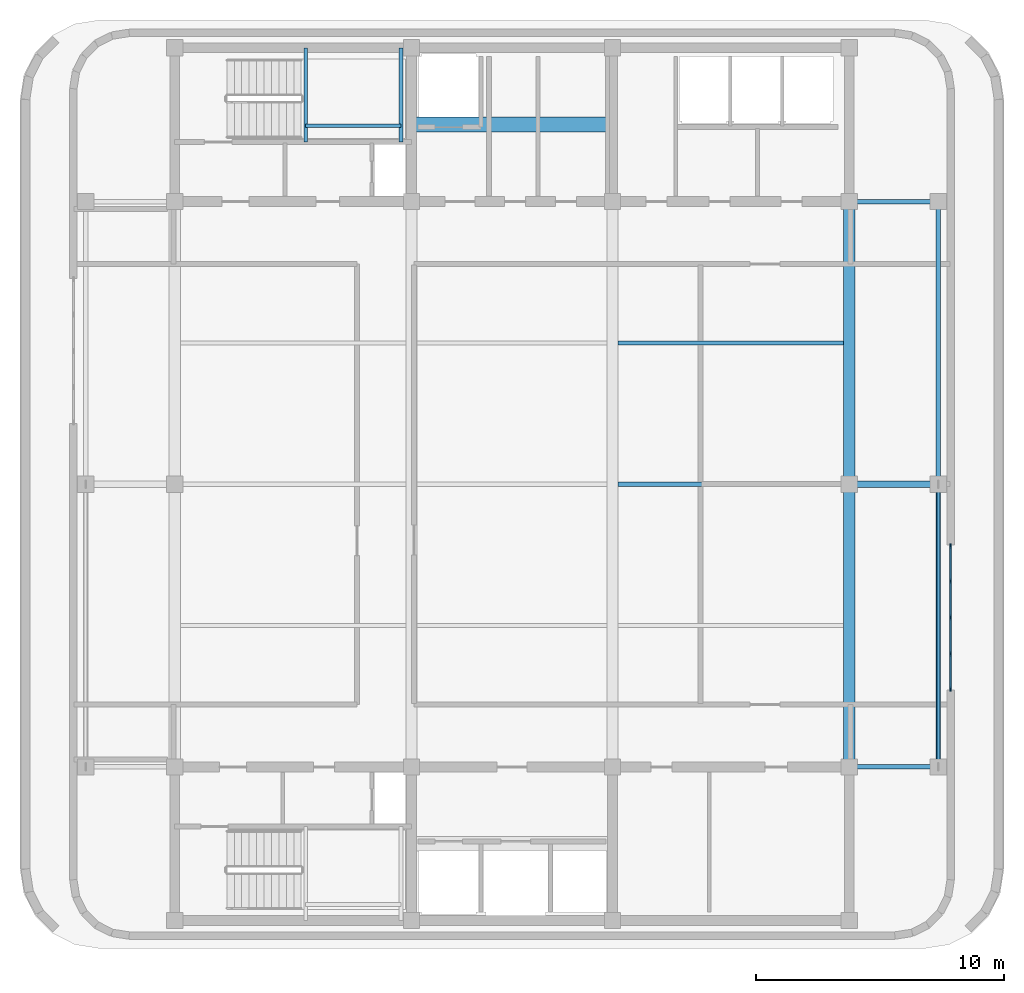
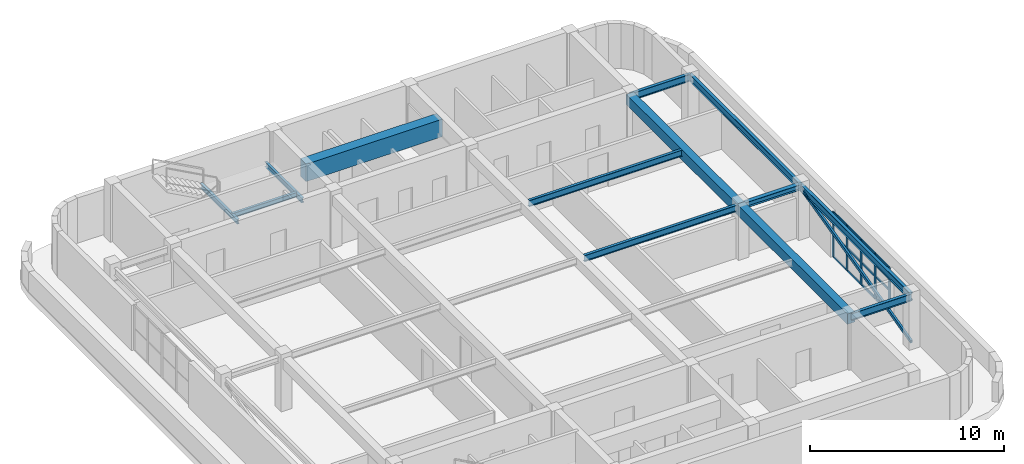
# One storey, part 3 of 9: 18 members, 13 beams, 1 element without a shape of its own.
"""IFC4 building model written with IfcOpenShell, lengths in metres."""

from ifc_helpers import new_model, si_unit, direction, frame, origin, origin_2d, place, context, subcontext, project, spatial, rectangle, hollow_rectangle, i_section, extrude, material, material_profile, profile_set, type_object, element, aggregate, save


model = new_model("IFC4")

# Units and contexts
model_context = context("Model", 3, precision=1e-05, world=origin(), true_north=direction((0.0, 1.0)))
body_context = subcontext(model_context, "Body", "Model", "MODEL_VIEW")
ifc_project = project(units=[si_unit("LENGTHUNIT", "METRE"), si_unit("AREAUNIT", "SQUARE_METRE"), si_unit("VOLUMEUNIT", "CUBIC_METRE"), si_unit("PLANEANGLEUNIT", "RADIAN"), si_unit("MASSUNIT", "GRAM", prefix="KILO")], contexts=[model_context])

# Site, building, storey
site_placement = place(None, origin())
site = spatial("IfcSite", under=ifc_project, at=site_placement, CompositionType="ELEMENT")
building_placement = place(site_placement, origin())
building = spatial("IfcBuilding", under=site, at=building_placement, Name="Svetorya Sky Lyceum", CompositionType="ELEMENT")
storey_placement = place(building_placement, frame((0.0, 0.0, 302.0)))
storey = spatial("IfcBuildingStorey", under=building, at=storey_placement, Name="C01", CompositionType="ELEMENT", Elevation=302.0)

# Beams
ifc_material_1 = material(Name="Concrete C60/75", Category="concrete")
ifc_material_profile_1 = material_profile(ifc_material_1, rectangle(XDim=0.60009765625, YDim=1.10009765625, at=origin_2d()), Name="RC COUPLING 600x1100")
ifc_profile_set_1 = profile_set([ifc_material_profile_1], Name="Concrete C60/75")
beam_type_1 = type_object("IfcBeamType", Name="BM-CPL-1100", PredefinedType="LINTEL", material=ifc_profile_set_1)
beam_1_placement = place(storey_placement, frame((35.14990234375, 42.699951171875, 2.77001953125), z_axis=(1.0, 0.0, 0.0), x_axis=(0.0, 1.0, 0.0)))
element("IfcBeam", 1, at=beam_1_placement, inside=storey, type_object=beam_type_1, Name="C01 NC Core Coupling Beam", PredefinedType="LINTEL", context=body_context, shape_type="SweptSolid", body=[
    extrude(rectangle(XDim=0.60009765625, YDim=1.10009765625, at=origin_2d()), origin(), (0.0, 0.0, 1.0), 8.10009765625),
])
ifc_material_2 = material(Name="Concrete C40/50", Category="concrete")
ifc_material_profile_2 = material_profile(ifc_material_2, rectangle(XDim=0.449951171875, YDim=0.64990234375, at=origin_2d()), Name="RC BEAM 450x650")
ifc_profile_set_2 = profile_set([ifc_material_profile_2], Name="Concrete C40/50")
beam_type_2 = type_object("IfcBeamType", Name="BM-RC-650", PredefinedType="BEAM", material=ifc_profile_set_2)
beam_2_placement = place(storey_placement, frame((52.800048828125, 16.800048828125, 2.9951171875), z_axis=(0.0, 1.0, 0.0), x_axis=(-1.0, 0.0, 0.0)))
element("IfcBeam", 2, at=beam_2_placement, inside=storey, type_object=beam_type_2, Name="C01 Central Bay Primary Girder CG-4A", PredefinedType="BEAM", context=body_context, shape_type="SweptSolid", body=[
    extrude(rectangle(XDim=0.449951171875, YDim=0.64990234375, at=origin_2d()), origin(), (0.0, 0.0, 1.0), 11.39990234375),
])
beam_3_placement = place(storey_placement, frame((52.800048828125, 28.199951171875, 2.9951171875), z_axis=(0.0, 1.0, 0.0), x_axis=(-1.0, 0.0, 0.0)))
element("IfcBeam", 3, at=beam_3_placement, inside=storey, type_object=beam_type_2, Name="C01 Central Bay Primary Girder CG-4B", PredefinedType="BEAM", context=body_context, shape_type="SweptSolid", body=[
    extrude(rectangle(XDim=0.449951171875, YDim=0.64990234375, at=origin_2d()), origin(), (0.0, 0.0, 1.0), 11.400146484375),
])
ifc_material_3 = material(Name="Steel S355", Category="steel")
ifc_material_profile_3 = material_profile(ifc_material_3, i_section(OverallWidth=0.14990234375, OverallDepth=0.299072265625, WebThickness=0.006591796875, FlangeThickness=0.010498046875, at=origin_2d()), Name="GOST 30B2")
ifc_profile_set_3 = profile_set([ifc_material_profile_3], Name="Steel S355")
beam_type_3 = type_object("IfcBeamType", Name="BM-STL-30B2", PredefinedType="JOIST", material=ifc_profile_set_3)
for number, where, z_axis, x_axis, name in (
    (4, (30.8798828125, 42.0, 1.450439453125), (0.0, 1.0, 0.0), (-1.0, 0.0, 0.0), "C01 Stair ST-N Half-Landing Support Beam 84.1"),
    (5, (34.719970703125, 42.0, 1.450439453125), (0.0, 1.0, 0.0), (-1.0, 0.0, 0.0), "C01 Stair ST-N Half-Landing Support Beam 84.2"),
):
    element("IfcBeam", number, at=place(storey_placement, frame(where, z_axis=z_axis, x_axis=x_axis)), inside=storey, type_object=beam_type_3, Name=name, PredefinedType="JOIST", context=body_context, shape_type="SweptSolid", body=[
        extrude(i_section(OverallWidth=0.14990234375, OverallDepth=0.299072265625, WebThickness=0.006591796875, FlangeThickness=0.010498046875, at=origin_2d()), origin(), (0.0, 0.0, 1.0), 3.800048828125),
    ])
beam_4_placement = place(storey_placement, frame((30.8798828125, 42.64990234375, 1.450439453125), z_axis=(1.0, 0.0, 0.0), x_axis=(0.0, 1.0, 0.0)))
element("IfcBeam", 6, at=beam_4_placement, inside=storey, type_object=beam_type_3, Name="C01 Stair ST-N Half-Landing Cross Tie 84", PredefinedType="JOIST", context=body_context, shape_type="SweptSolid", body=[
    extrude(i_section(OverallWidth=0.14990234375, OverallDepth=0.299072265625, WebThickness=0.006591796875, FlangeThickness=0.010498046875, at=origin_2d()), origin(), (0.0, 0.0, 1.0), 3.840087890625),
])
ifc_material_profile_4 = material_profile(ifc_material_3, i_section(OverallWidth=0.25, OverallDepth=0.345947265625, WebThickness=0.009521484375, FlangeThickness=0.014404296875, at=origin_2d()), Name="GOST 35Sh2")
ifc_profile_set_4 = profile_set([ifc_material_profile_4], Name="Steel S355")
beam_type_4 = type_object("IfcBeamType", Name="BM-STL-35SH2", PredefinedType="BEAM", material=ifc_profile_set_4)
beam_5_placement = place(storey_placement, frame((52.800048828125, 28.199951171875, 3.14697265625), z_axis=(1.0, 0.0, 0.0), x_axis=(0.0, 1.0, 0.0)))
element("IfcBeam", 7, at=beam_5_placement, inside=storey, type_object=beam_type_4, Name="C01 East Wing Floor Joist E2", PredefinedType="BEAM", context=body_context, shape_type="SweptSolid", body=[
    extrude(i_section(OverallWidth=0.25, OverallDepth=0.345947265625, WebThickness=0.009521484375, FlangeThickness=0.014404296875, at=origin_2d()), origin(), (0.0, 0.0, 1.0), 3.58984375),
])
ifc_material_profile_5 = material_profile(ifc_material_3, i_section(OverallWidth=0.1650390625, OverallDepth=0.39990234375, WebThickness=0.008056640625, FlangeThickness=0.012939453125, at=origin_2d()), Name="GOST 40B2")
ifc_profile_set_5 = profile_set([ifc_material_profile_5], Name="Steel S355")
beam_type_5 = type_object("IfcBeamType", Name="BM-STL-40B2", PredefinedType="JOIST", material=ifc_profile_set_5)
for number, where, z_axis, x_axis, name in (
    (8, (43.47509765625, 28.199951171875, 3.1201171875), (1.0, 0.0, 0.0), (0.0, 1.0, 0.0), "C01 Central Floor Joist CJ-2.3"),
    (9, (43.47509765625, 33.89990234375, 3.1201171875), (1.0, 0.0, 0.0), (0.0, 1.0, 0.0), "C01 Central Floor Joist CJ-3.3"),
):
    element("IfcBeam", number, at=place(storey_placement, frame(where, z_axis=z_axis, x_axis=x_axis)), inside=storey, type_object=beam_type_5, Name=name, PredefinedType="JOIST", context=body_context, shape_type="SweptSolid", body=[
        extrude(i_section(OverallWidth=0.1650390625, OverallDepth=0.39990234375, WebThickness=0.008056640625, FlangeThickness=0.012939453125, at=origin_2d()), origin(), (0.0, 0.0, 1.0), 9.099853515625),
    ])
ifc_material_profile_6 = material_profile(ifc_material_3, i_section(OverallWidth=0.179931640625, OverallDepth=0.449951171875, WebThickness=0.009033203125, FlangeThickness=0.014404296875, at=origin_2d()), Name="GOST 45B2")
ifc_profile_set_6 = profile_set([ifc_material_profile_6], Name="Steel S355")
beam_type_6 = type_object("IfcBeamType", Name="BM-STL-45B2", PredefinedType="SPANDREL", material=ifc_profile_set_6)
for number, where, z_axis, x_axis, name in (
    (10, (52.800048828125, 16.800048828125, 3.094970703125), (1.0, 0.0, 0.0), (0.0, 1.0, 0.0), "C01 Tie Spandrel SE"),
    (11, (52.800048828125, 39.60009765625, 3.094970703125), (1.0, 0.0, 0.0), (0.0, 1.0, 0.0), "C01 Tie Spandrel NE"),
):
    element("IfcBeam", number, at=place(storey_placement, frame(where, z_axis=z_axis, x_axis=x_axis)), inside=storey, type_object=beam_type_6, Name=name, PredefinedType="SPANDREL", context=body_context, shape_type="SweptSolid", body=[
        extrude(i_section(OverallWidth=0.179931640625, OverallDepth=0.449951171875, WebThickness=0.009033203125, FlangeThickness=0.014404296875, at=origin_2d()), origin(), (0.0, 0.0, 1.0), 3.58984375),
    ])
beam_6_placement = place(storey_placement, frame((56.389892578125, 16.800048828125, 3.094970703125), z_axis=(0.0, 1.0, 0.0), x_axis=(-1.0, 0.0, 0.0)))
element("IfcBeam", 12, at=beam_6_placement, inside=storey, type_object=beam_type_6, Name="C01 East Spandrel 1", PredefinedType="SPANDREL", context=body_context, shape_type="SweptSolid", body=[
    extrude(i_section(OverallWidth=0.179931640625, OverallDepth=0.449951171875, WebThickness=0.009033203125, FlangeThickness=0.014404296875, at=origin_2d()), origin(), (0.0, 0.0, 1.0), 11.39990234375),
])
beam_7_placement = place(storey_placement, frame((56.389892578125, 28.199951171875, 3.094970703125), z_axis=(0.0, 1.0, 0.0), x_axis=(-1.0, 0.0, 0.0)))
element("IfcBeam", 13, at=beam_7_placement, inside=storey, type_object=beam_type_6, Name="C01 East Spandrel 2", PredefinedType="SPANDREL", context=body_context, shape_type="SweptSolid", body=[
    extrude(i_section(OverallWidth=0.179931640625, OverallDepth=0.449951171875, WebThickness=0.009033203125, FlangeThickness=0.014404296875, at=origin_2d()), origin(), (0.0, 0.0, 1.0), 11.400146484375),
])

# Curtain wall, members
ifc_material_4 = material(Name="Thermally broken anodized aluminium and triple low-E glass", Category="aluminium")
curtain_wall_type = type_object("IfcCurtainWallType", Name="CW5-LVR-PLT", PredefinedType="NOTDEFINED", material=ifc_material_4)
curtain_wall_placement = place(storey_placement, origin())
curtain_wall = element("IfcCurtainWall", 14, at=curtain_wall_placement, inside=storey, type_object=curtain_wall_type, Name="C01 Acoustic Plant Louvre Curtain Wall 12", PredefinedType="NOTDEFINED")
ifc_material_5 = material(Name="Thermally broken anodized aluminium EN AW-6060", Category="aluminium")
ifc_material_profile_7 = material_profile(ifc_material_5, rectangle(XDim=0.06494140625, YDim=0.179931640625, at=origin_2d()), Name="ALU MULLION 65x180")
ifc_profile_set_7 = profile_set([ifc_material_profile_7], Name="Thermally broken anodized aluminium EN AW-6060")
member_type_1 = type_object("IfcMemberType", Name="CWM-MUL-180", PredefinedType="MULLION", material=ifc_profile_set_7)
member_1_placement = place(storey_placement, frame((56.889892578125, 19.9326171875, 0.0), z_axis=(0.0, 0.0, 1.0), x_axis=(-1.0, 0.0, 0.0)))
member_1 = element("IfcMember", 15, at=member_1_placement, type_object=member_type_1, Name="CW-5 mullion 1", PredefinedType="MULLION", context=body_context, shape_type="SweptSolid", body=[
    extrude(rectangle(XDim=0.06494140625, YDim=0.179931640625, at=origin_2d()), origin(), (0.0, 0.0, 1.0), 2.840087890625),
])
member_2_placement = place(storey_placement, frame((56.889892578125, 21.362548828125, 0.0), z_axis=(0.0, 0.0, 1.0), x_axis=(-1.0, 0.0, 0.0)))
member_2 = element("IfcMember", 16, at=member_2_placement, type_object=member_type_1, Name="CW-5 mullion 2", PredefinedType="MULLION", context=body_context, shape_type="SweptSolid", body=[
    extrude(rectangle(XDim=0.06494140625, YDim=0.179931640625, at=origin_2d()), origin(), (0.0, 0.0, 1.0), 2.840087890625),
])
member_3_placement = place(storey_placement, frame((56.889892578125, 22.824951171875, 0.0), z_axis=(0.0, 0.0, 1.0), x_axis=(-1.0, 0.0, 0.0)))
member_3 = element("IfcMember", 17, at=member_3_placement, type_object=member_type_1, Name="CW-5 mullion 3", PredefinedType="MULLION", context=body_context, shape_type="SweptSolid", body=[
    extrude(rectangle(XDim=0.06494140625, YDim=0.179931640625, at=origin_2d()), origin(), (0.0, 0.0, 1.0), 2.840087890625),
])
member_4_placement = place(storey_placement, frame((56.889892578125, 24.28759765625, 0.0), z_axis=(0.0, 0.0, 1.0), x_axis=(-1.0, 0.0, 0.0)))
member_4 = element("IfcMember", 18, at=member_4_placement, type_object=member_type_1, Name="CW-5 mullion 4", PredefinedType="MULLION", context=body_context, shape_type="SweptSolid", body=[
    extrude(rectangle(XDim=0.06494140625, YDim=0.179931640625, at=origin_2d()), origin(), (0.0, 0.0, 1.0), 2.840087890625),
])
member_5_placement = place(storey_placement, frame((56.889892578125, 25.717529296875, 0.0), z_axis=(0.0, 0.0, 1.0), x_axis=(-1.0, 0.0, 0.0)))
member_5 = element("IfcMember", 19, at=member_5_placement, type_object=member_type_1, Name="CW-5 mullion 5", PredefinedType="MULLION", context=body_context, shape_type="SweptSolid", body=[
    extrude(rectangle(XDim=0.06494140625, YDim=0.179931640625, at=origin_2d()), origin(), (0.0, 0.0, 1.0), 2.840087890625),
])
ifc_material_profile_8 = material_profile(ifc_material_5, rectangle(XDim=0.06494140625, YDim=0.139892578125, at=origin_2d()), Name="ALU TRANSOM 65x140")
ifc_profile_set_8 = profile_set([ifc_material_profile_8], Name="Thermally broken anodized aluminium EN AW-6060")
member_type_2 = type_object("IfcMemberType", Name="CWM-TRN-140", PredefinedType="USERDEFINED", material=ifc_profile_set_8)
member_6_placement = place(storey_placement, frame((56.889892578125, 19.96337890625, 0.032470703125), z_axis=(0.0, 1.0, 0.0), x_axis=(-1.0, 0.0, 0.0)))
member_6 = element("IfcMember", 20, at=member_6_placement, type_object=member_type_2, Name="CW-5 transom 1.1", ObjectType="TRANSOM", PredefinedType="USERDEFINED", context=body_context, shape_type="SweptSolid", body=[
    extrude(rectangle(XDim=0.06494140625, YDim=0.139892578125, at=origin_2d()), origin(), (0.0, 0.0, 1.0), 1.3681640625),
])
member_7_placement = place(storey_placement, frame((56.889892578125, 19.96337890625, 1.419921875), z_axis=(0.0, 1.0, 0.0), x_axis=(-1.0, 0.0, 0.0)))
member_7 = element("IfcMember", 21, at=member_7_placement, type_object=member_type_2, Name="CW-5 transom 1.2", ObjectType="TRANSOM", PredefinedType="USERDEFINED", context=body_context, shape_type="SweptSolid", body=[
    extrude(rectangle(XDim=0.06494140625, YDim=0.139892578125, at=origin_2d()), origin(), (0.0, 0.0, 1.0), 1.3681640625),
])
member_8_placement = place(storey_placement, frame((56.889892578125, 19.96337890625, 2.8076171875), z_axis=(0.0, 1.0, 0.0), x_axis=(-1.0, 0.0, 0.0)))
member_8 = element("IfcMember", 22, at=member_8_placement, type_object=member_type_2, Name="CW-5 transom 1.3", ObjectType="TRANSOM", PredefinedType="USERDEFINED", context=body_context, shape_type="SweptSolid", body=[
    extrude(rectangle(XDim=0.06494140625, YDim=0.139892578125, at=origin_2d()), origin(), (0.0, 0.0, 1.0), 1.3681640625),
])
member_9_placement = place(storey_placement, frame((56.889892578125, 21.3935546875, 0.032470703125), z_axis=(0.0, 1.0, 0.0), x_axis=(-1.0, 0.0, 0.0)))
member_9 = element("IfcMember", 23, at=member_9_placement, type_object=member_type_2, Name="CW-5 transom 2.1", ObjectType="TRANSOM", PredefinedType="USERDEFINED", context=body_context, shape_type="SweptSolid", body=[
    extrude(rectangle(XDim=0.06494140625, YDim=0.139892578125, at=origin_2d()), origin(), (0.0, 0.0, 1.0), 1.400390625),
])
member_10_placement = place(storey_placement, frame((56.889892578125, 21.3935546875, 1.419921875), z_axis=(0.0, 1.0, 0.0), x_axis=(-1.0, 0.0, 0.0)))
member_10 = element("IfcMember", 24, at=member_10_placement, type_object=member_type_2, Name="CW-5 transom 2.2", ObjectType="TRANSOM", PredefinedType="USERDEFINED", context=body_context, shape_type="SweptSolid", body=[
    extrude(rectangle(XDim=0.06494140625, YDim=0.139892578125, at=origin_2d()), origin(), (0.0, 0.0, 1.0), 1.400390625),
])
member_11_placement = place(storey_placement, frame((56.889892578125, 21.3935546875, 2.8076171875), z_axis=(0.0, 1.0, 0.0), x_axis=(-1.0, 0.0, 0.0)))
member_11 = element("IfcMember", 25, at=member_11_placement, type_object=member_type_2, Name="CW-5 transom 2.3", ObjectType="TRANSOM", PredefinedType="USERDEFINED", context=body_context, shape_type="SweptSolid", body=[
    extrude(rectangle(XDim=0.06494140625, YDim=0.139892578125, at=origin_2d()), origin(), (0.0, 0.0, 1.0), 1.400390625),
])
member_12_placement = place(storey_placement, frame((56.889892578125, 22.85595703125, 0.032470703125), z_axis=(0.0, 1.0, 0.0), x_axis=(-1.0, 0.0, 0.0)))
member_12 = element("IfcMember", 26, at=member_12_placement, type_object=member_type_2, Name="CW-5 transom 3.1", ObjectType="TRANSOM", PredefinedType="USERDEFINED", context=body_context, shape_type="SweptSolid", body=[
    extrude(rectangle(XDim=0.06494140625, YDim=0.139892578125, at=origin_2d()), origin(), (0.0, 0.0, 1.0), 1.400634765625),
])
member_13_placement = place(storey_placement, frame((56.889892578125, 22.85595703125, 1.419921875), z_axis=(0.0, 1.0, 0.0), x_axis=(-1.0, 0.0, 0.0)))
member_13 = element("IfcMember", 27, at=member_13_placement, type_object=member_type_2, Name="CW-5 transom 3.2", ObjectType="TRANSOM", PredefinedType="USERDEFINED", context=body_context, shape_type="SweptSolid", body=[
    extrude(rectangle(XDim=0.06494140625, YDim=0.139892578125, at=origin_2d()), origin(), (0.0, 0.0, 1.0), 1.400634765625),
])
member_14_placement = place(storey_placement, frame((56.889892578125, 22.85595703125, 2.8076171875), z_axis=(0.0, 1.0, 0.0), x_axis=(-1.0, 0.0, 0.0)))
member_14 = element("IfcMember", 28, at=member_14_placement, type_object=member_type_2, Name="CW-5 transom 3.3", ObjectType="TRANSOM", PredefinedType="USERDEFINED", context=body_context, shape_type="SweptSolid", body=[
    extrude(rectangle(XDim=0.06494140625, YDim=0.139892578125, at=origin_2d()), origin(), (0.0, 0.0, 1.0), 1.400634765625),
])
member_15_placement = place(storey_placement, frame((56.889892578125, 24.318603515625, 0.032470703125), z_axis=(0.0, 1.0, 0.0), x_axis=(-1.0, 0.0, 0.0)))
member_15 = element("IfcMember", 29, at=member_15_placement, type_object=member_type_2, Name="CW-5 transom 4.1", ObjectType="TRANSOM", PredefinedType="USERDEFINED", context=body_context, shape_type="SweptSolid", body=[
    extrude(rectangle(XDim=0.06494140625, YDim=0.139892578125, at=origin_2d()), origin(), (0.0, 0.0, 1.0), 1.367919921875),
])
member_16_placement = place(storey_placement, frame((56.889892578125, 24.318603515625, 1.419921875), z_axis=(0.0, 1.0, 0.0), x_axis=(-1.0, 0.0, 0.0)))
member_16 = element("IfcMember", 30, at=member_16_placement, type_object=member_type_2, Name="CW-5 transom 4.2", ObjectType="TRANSOM", PredefinedType="USERDEFINED", context=body_context, shape_type="SweptSolid", body=[
    extrude(rectangle(XDim=0.06494140625, YDim=0.139892578125, at=origin_2d()), origin(), (0.0, 0.0, 1.0), 1.367919921875),
])
member_17_placement = place(storey_placement, frame((56.889892578125, 24.318603515625, 2.8076171875), z_axis=(0.0, 1.0, 0.0), x_axis=(-1.0, 0.0, 0.0)))
member_17 = element("IfcMember", 31, at=member_17_placement, type_object=member_type_2, Name="CW-5 transom 4.3", ObjectType="TRANSOM", PredefinedType="USERDEFINED", context=body_context, shape_type="SweptSolid", body=[
    extrude(rectangle(XDim=0.06494140625, YDim=0.139892578125, at=origin_2d()), origin(), (0.0, 0.0, 1.0), 1.367919921875),
])
aggregate(curtain_wall, [member_1, member_2, member_3, member_4, member_5, member_6, member_7, member_8, member_9, member_10, member_11, member_12, member_13, member_14, member_15, member_16, member_17])

# Member
ifc_material_profile_9 = material_profile(ifc_material_3, hollow_rectangle(XDim=0.1201171875, YDim=0.199951171875, WallThickness=0.008056640625, at=origin_2d()), Name="RHS 200x120x8")
ifc_profile_set_9 = profile_set([ifc_material_profile_9], Name="Steel S355")
member_type_3 = type_object("IfcMemberType", Name="MB-STR-RHS200", PredefinedType="STRUT", material=ifc_profile_set_9)
member_18_placement = place(storey_placement, frame((56.389892578125, 16.800048828125, 0.25), z_axis=(0.0, 0.971724925391, 0.236115796537), x_axis=(-1.0, 0.0, 0.0)))
element("IfcMember", 32, at=member_18_placement, inside=storey, type_object=member_type_3, Name="C01 Crown Perimeter Frame Brace E", PredefinedType="STRUT", context=body_context, shape_type="SweptSolid", body=[
    extrude(hollow_rectangle(XDim=0.1201171875, YDim=0.199951171875, WallThickness=0.008056640625, at=origin_2d()), origin(), (0.0, 0.0, 1.0), 11.731689453125),
])

save(model, "model.ifc")
